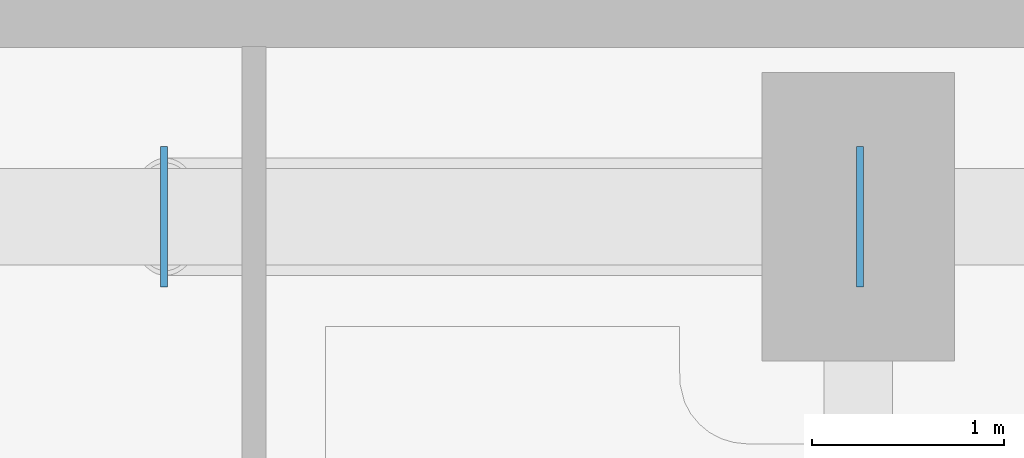
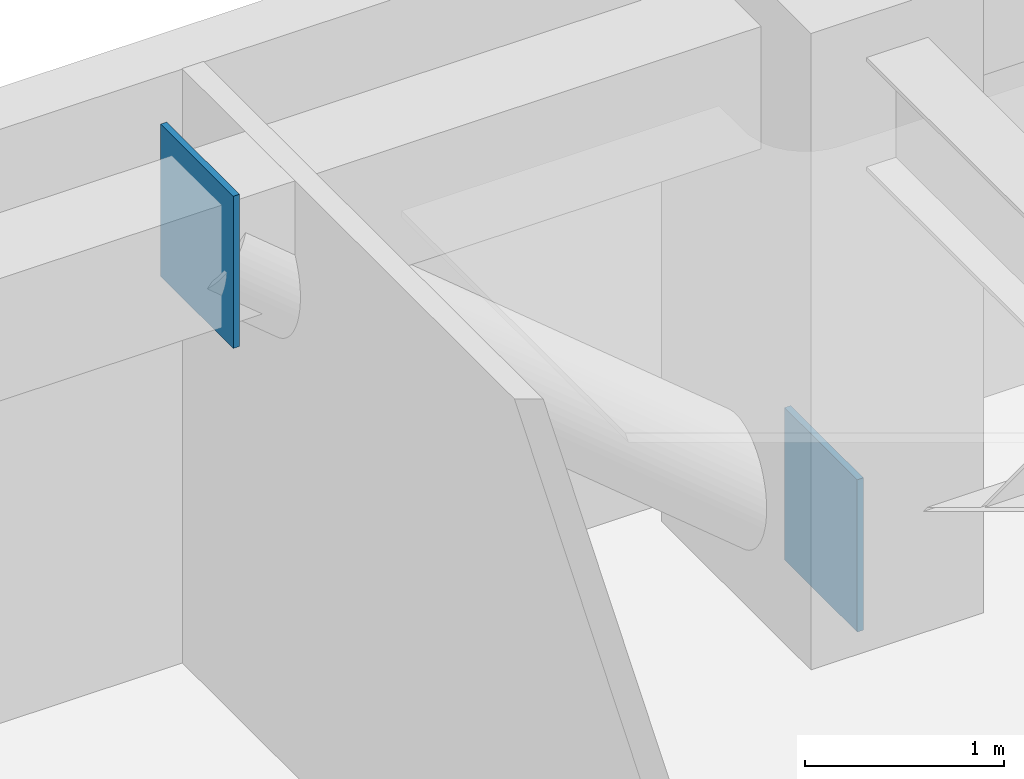
# One storey, part 21 of 28: 2 plates.
"""IFC4 building model written with IfcOpenShell, lengths in metres."""

import ifcopenshell
import ifcopenshell.guid

model = None  # the IFC model being written
_history = None  # IfcOwnerHistory: only IFC2X3 demands one
_inside = {}  # id of a spatial element -> (the spatial element, [elements in it])
_under = {}  # id of a project, library or spatial element -> (it, [spatial elements below it])
_declared = {}  # id of a project -> (the project, [libraries it declares])
_typed = {}  # id of a type object -> (the type object, [elements of that type])
_made_of = {}  # id of a material, layer set ... -> (it, [elements and type objects made of it])


def new_model(schema):
    """Start an empty IFC model of exactly this schema.

    Asked for "IFC4X3", IfcOpenShell would pick the latest addendum, in which some entities
    have other attributes; the version numbers below select the first issue.
    IFC2X3 requires an IfcOwnerHistory on every rooted entity: one is made here for all.
    """
    global model, _history
    if schema == "IFC4X3":
        model = ifcopenshell.file(schema_version=(4, 3, 0, 0))
    else:
        model = ifcopenshell.file(schema=schema)
    _inside.clear()
    _under.clear()
    _declared.clear()
    _typed.clear()
    _made_of.clear()
    _history = None
    if model.schema == "IFC2X3":
        org = make("IfcOrganization", Name="unknown")
        user = make(
            "IfcPersonAndOrganization",
            ThePerson=make("IfcPerson", FamilyName="unknown"),
            TheOrganization=org,
        )
        app = make(
            "IfcApplication",
            ApplicationDeveloper=org,
            Version="unknown",
            ApplicationFullName="unknown",
            ApplicationIdentifier="unknown",
        )
        _history = make(
            "IfcOwnerHistory",
            OwningUser=user,
            OwningApplication=app,
            ChangeAction="ADDED",
            CreationDate=0,
        )
    return model


def make(cls, **values):
    """One entity of the class cls with the attributes given. An attribute that is None is left unset."""
    return model.create_entity(
        cls, **{name: value for name, value in values.items() if value is not None}
    )


def rooted(cls, **values):
    """An entity with a GlobalId (a new one), such as an element, a storey or a relation."""
    return make(cls, GlobalId=ifcopenshell.guid.new(), OwnerHistory=_history, **values)


def si_unit(unit_type, name, prefix=None):
    """IfcSIUnit, for example si_unit("LENGTHUNIT", "METRE", prefix="MILLI")."""
    return make("IfcSIUnit", UnitType=unit_type, Prefix=prefix, Name=name)


def assignment(units):
    """IfcUnitAssignment: the units of a project."""
    return None if units is None else make("IfcUnitAssignment", Units=units)


def point(xyz):
    """IfcCartesianPoint."""
    return None if xyz is None else make("IfcCartesianPoint", Coordinates=xyz)


def direction(xyz):
    """IfcDirection."""
    return None if xyz is None else make("IfcDirection", DirectionRatios=xyz)


def frame(location, z_axis=None, x_axis=None):
    """IfcAxis2Placement3D, a coordinate frame: its origin and axes. An axis left out is left unset."""
    return make(
        "IfcAxis2Placement3D",
        Location=point(location),
        Axis=direction(z_axis),
        RefDirection=direction(x_axis),
    )


def frame_2d(location, x_axis=None):
    """IfcAxis2Placement2D, a coordinate frame in the plane: its origin and x axis."""
    return make(
        "IfcAxis2Placement2D", Location=point(location), RefDirection=direction(x_axis)
    )


def origin():
    """The frame at (0, 0, 0) with its axes left unset."""
    return frame((0.0, 0.0, 0.0))


def origin_2d():
    """The frame at (0, 0) in the plane with its x axis left unset."""
    return frame_2d((0.0, 0.0))


def place(relative_to, where):
    """IfcLocalPlacement: puts the frame where relative to a parent placement (None: the world)."""
    return make(
        "IfcLocalPlacement", PlacementRelTo=relative_to, RelativePlacement=where
    )


def context(
    kind, dimensions, precision=None, world=None, true_north=None, identifier=None
):
    """IfcGeometricRepresentationContext, for example the 3D "Model" context."""
    return make(
        "IfcGeometricRepresentationContext",
        ContextIdentifier=identifier,
        ContextType=kind,
        CoordinateSpaceDimension=dimensions,
        Precision=precision,
        WorldCoordinateSystem=world,
        TrueNorth=true_north,
    )


def subcontext(parent, identifier, kind, view, scale=None):
    """IfcGeometricRepresentationSubContext, for example "Body" below "Model"."""
    return make(
        "IfcGeometricRepresentationSubContext",
        ContextIdentifier=identifier,
        ContextType=kind,
        ParentContext=parent,
        TargetScale=scale,
        TargetView=view,
    )


def project(units=None, contexts=None):
    """IfcProject with its units and contexts."""
    return rooted(
        "IfcProject",
        Name="project",
        RepresentationContexts=contexts,
        UnitsInContext=assignment(units),
    )


def spatial(cls, under=None, at=None, **own):
    """A site, building, storey or space (cls), placed at a placement, below another one or the project."""
    s = rooted(cls, ObjectPlacement=at, **own)
    if under is not None:
        _under.setdefault(under.id(), (under, []))[1].append(s)
    return s


def profile(cls, at=None, kind="AREA", **sizes):
    """A parametric profile (cls). Its sizes go by their IFC names, for example OverallWidth=200.0."""
    return make(cls, ProfileType=kind, Position=at, **sizes)


def rectangle(**sizes):
    """IfcRectangleProfileDef."""
    return profile("IfcRectangleProfileDef", **sizes)


def extrude(swept, where, along, depth):
    """IfcExtrudedAreaSolid: the profile swept, set in the frame where, extruded along a direction by depth."""
    return make(
        "IfcExtrudedAreaSolid",
        SweptArea=swept,
        Position=where,
        ExtrudedDirection=direction(along),
        Depth=depth,
    )


def shape(context_of_items, identifier, shape_type, items):
    """IfcShapeRepresentation: the items that make up one representation, for example the "Body"."""
    return make(
        "IfcShapeRepresentation",
        ContextOfItems=context_of_items,
        RepresentationIdentifier=identifier,
        RepresentationType=shape_type,
        Items=items,
    )


def material(Name=None, Category=None):
    """IfcMaterial."""
    return make("IfcMaterial", Name=Name, Category=Category)


def layer(
    of_material, thickness, ventilated=None, Name=None, Category=None, Priority=None
):
    """IfcMaterialLayer: one layer of a wall or slab, of a material (None: an air gap)."""
    return make(
        "IfcMaterialLayer",
        Material=of_material,
        LayerThickness=thickness,
        IsVentilated=ventilated,
        Name=Name,
        Category=Category,
        Priority=Priority,
    )


def layer_set(layers, Name=None):
    """IfcMaterialLayerSet."""
    return make("IfcMaterialLayerSet", MaterialLayers=layers, LayerSetName=Name)


def made_of(thing, what):
    """Note that an element or type object is made of a material, layer set ...; save() writes the relation."""
    if what is not None:
        _made_of.setdefault(what.id(), (what, []))[1].append(thing)
    return thing


def type_object(cls, material=None, **own):
    """A type object (cls), such as IfcWallType, which elements share."""
    return made_of(rooted(cls, **own), material)


def element(
    cls,
    number,
    at=None,
    inside=None,
    cuts=None,
    type_object=None,
    material=None,
    context=None,
    identifier="Body",
    shape_type=None,
    held_by="IfcProductDefinitionShape",
    body=None,
    shapes=None,
    **own,
):
    """One element of the class cls, such as IfcWall. Its Tag is "e" and its number.

    at: its placement. inside: the storey or other place that contains it. cuts: it is an
    opening in that element (IfcRelVoidsElement). A single representation is given by context,
    identifier, shape_type and body (its items); several are given by shapes. held_by: the class
    of the entity that holds the representations. save() writes the other relations.
    """
    e = rooted(cls, Tag="e%d" % number, ObjectPlacement=at, **own)
    if body is not None:
        shapes = [shape(context, identifier, shape_type, body)]
    if shapes is not None:
        e.Representation = make(held_by, Representations=shapes)
    if inside is not None:
        _inside.setdefault(inside.id(), (inside, []))[1].append(e)
    if cuts is not None:
        rooted(
            "IfcRelVoidsElement", RelatingBuildingElement=cuts, RelatedOpeningElement=e
        )
    if type_object is not None:
        _typed.setdefault(type_object.id(), (type_object, []))[1].append(e)
    return made_of(e, material)


def aggregate(whole, parts):
    """IfcRelAggregates: a whole, such as a stair, and the parts it consists of."""
    return rooted("IfcRelAggregates", RelatingObject=whole, RelatedObjects=parts)


def save(model, path):
    """Write the relations noted so far, then the file.

    IfcRelAggregates (storeys below a building ...), IfcRelContainedInSpatialStructure (elements
    in a storey), IfcRelDefinesByType, IfcRelAssociatesMaterial and IfcRelDeclares: one each for
    every whole, place, type object, material and project.
    """
    for whole, parts in _under.values():
        aggregate(whole, parts)
    for where, things in _inside.values():
        rooted(
            "IfcRelContainedInSpatialStructure",
            RelatedElements=things,
            RelatingStructure=where,
        )
    for kind, things in _typed.values():
        rooted("IfcRelDefinesByType", RelatedObjects=things, RelatingType=kind)
    for what, things in _made_of.values():
        rooted("IfcRelAssociatesMaterial", RelatedObjects=things, RelatingMaterial=what)
    for by, libraries in _declared.values():
        rooted("IfcRelDeclares", RelatingContext=by, RelatedDefinitions=libraries)
    model.write(path)


model = new_model("IFC4")

# Units and contexts
model_context = context("Model", 3, precision=1e-05, world=origin(), true_north=direction((0.0, 1.0)))
body_context = subcontext(model_context, "Body", "Model", "MODEL_VIEW")
ifc_project = project(units=[si_unit("LENGTHUNIT", "METRE"), si_unit("AREAUNIT", "SQUARE_METRE"), si_unit("VOLUMEUNIT", "CUBIC_METRE"), si_unit("PLANEANGLEUNIT", "RADIAN"), si_unit("MASSUNIT", "GRAM", prefix="KILO")], contexts=[model_context])

# Site, building, storey
site_placement = place(None, origin())
site = spatial("IfcSite", under=ifc_project, at=site_placement, CompositionType="ELEMENT")
building_placement = place(site_placement, origin())
building = spatial("IfcBuilding", under=site, at=building_placement, Name="Kiyonajd Concourse Tower", CompositionType="ELEMENT")
storey_placement = place(building_placement, frame((0.0, 0.0, 37.199951171875)))
storey = spatial("IfcBuildingStorey", under=building, at=storey_placement, Name="L10", CompositionType="ELEMENT", Elevation=37.199951171875)

# Plates
ifc_material = material(Name="Steel ASTM A572 Grade 50", Category="steel")
ifc_layer = layer(ifc_material, 0.028076171875)
ifc_layer_set = layer_set([ifc_layer], Name="Steel ASTM A572 Grade 50")
plate_type = type_object("IfcPlateType", Name="PL-CAP-450", PredefinedType="USERDEFINED", material=ifc_layer_set)
for number, where, z_axis, x_axis, name in (
    (1, (63.6083984375, 61.199951171875, -0.173583984375), (0.0, 0.0, 1.0), (1.0, 0.0, 0.0), "L10 Hollow Brace End Cap Plate PBN"),
    (2, (59.991455078125, 61.199951171875, 2.83056640625), (0.0, 0.0, 1.0), (-1.0, 0.0, 0.0), "L10 Hollow Brace Top Cap Plate PBN"),
):
    element("IfcPlate", number, at=place(storey_placement, frame(where, z_axis=z_axis, x_axis=x_axis)), inside=storey, type_object=plate_type, Name=name, ObjectType="CAP PLATE", PredefinedType="USERDEFINED", context=body_context, shape_type="SweptSolid", body=[
        extrude(rectangle(XDim=0.035888671875, YDim=0.72998046875, at=origin_2d()), origin(), (0.0, 0.0, 1.0), 0.93310546875),
    ])

save(model, "model.ifc")
